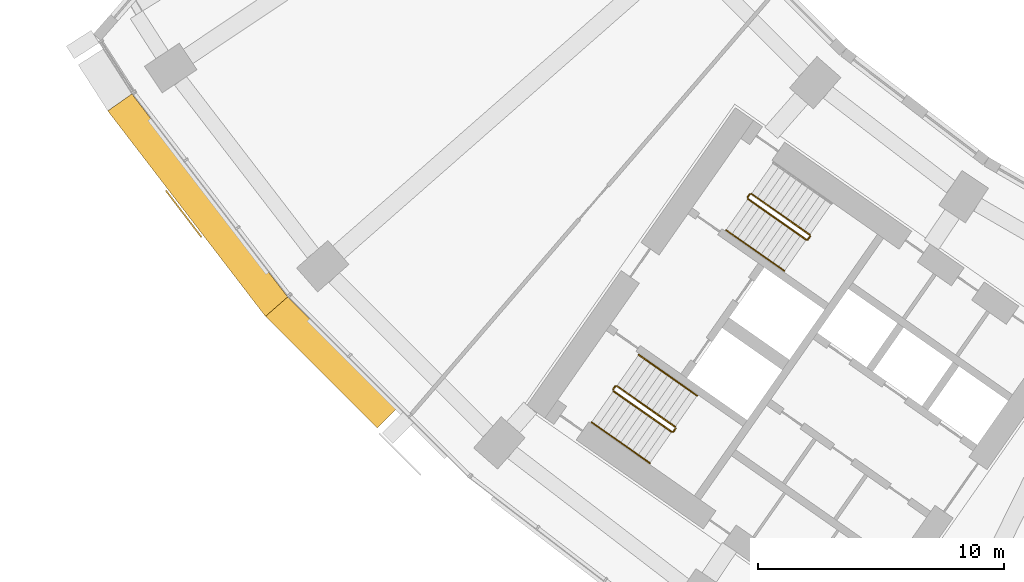
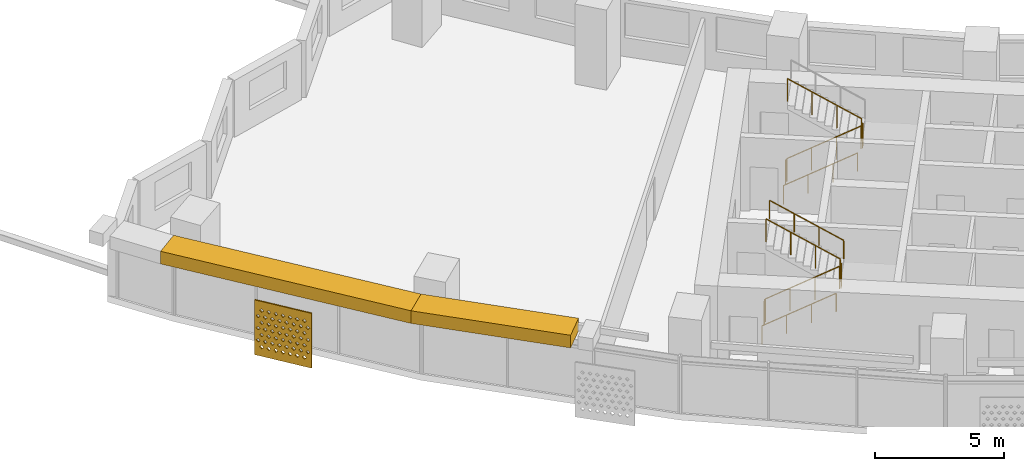
# One storey, part 27 of 30: 9 railings, 3 shading devices.
"""IFC4 building model written with IfcOpenShell, lengths in metres."""

from ifc_helpers import new_model, si_unit, direction, frame, origin, origin_2d, place, context, subcontext, project, spatial, polyline, circle, outline, extrude, material, material_profile, profile_set, type_object, element, save


model = new_model("IFC4")

# Units and contexts
model_context = context("Model", 3, precision=1e-05, world=origin(), true_north=direction((0.0, 1.0)))
body_context = subcontext(model_context, "Body", "Model", "MODEL_VIEW")
ifc_project = project(units=[si_unit("LENGTHUNIT", "METRE"), si_unit("AREAUNIT", "SQUARE_METRE"), si_unit("VOLUMEUNIT", "CUBIC_METRE"), si_unit("PLANEANGLEUNIT", "RADIAN"), si_unit("MASSUNIT", "GRAM", prefix="KILO")], contexts=[model_context])

# Site, building, storey
site_placement = place(None, origin())
site = spatial("IfcSite", under=ifc_project, at=site_placement, CompositionType="ELEMENT")
building_placement = place(site_placement, origin())
building = spatial("IfcBuilding", under=site, at=building_placement, Name="Qamariyya Broadcast Tower", CompositionType="ELEMENT")
storey_placement = place(building_placement, frame((0.0, 0.0, 67.10009765625)))
storey = spatial("IfcBuildingStorey", under=building, at=storey_placement, Name="L13", CompositionType="ELEMENT", Elevation=67.10009765625)

# Shading devices
ifc_material_1 = material(Name="Steel S355 powder coated deep red", Category="steel")
shading_device_type_1 = type_object("IfcShadingDeviceType", Name="Deep red frame, powder coated steel box section", PredefinedType="USERDEFINED", material=ifc_material_1)
shading_device_1_placement = place(storey_placement, frame((0.0, 0.0, 3.199951171875)))
element("IfcShadingDevice", 1, at=shading_device_1_placement, inside=storey, type_object=shading_device_type_1, Name="e-frm-B1-F1-bot1", ObjectType="FRAME", PredefinedType="USERDEFINED", context=body_context, shape_type="SweptSolid", body=[
    extrude(outline(polyline([(-66.2265625, -44.251220703125), (-67.20947265625, -44.94140625), (-60.7880859375, -53.309814453125), (-59.884033203125, -52.516845703125), (-66.2265625, -44.251220703125)])), origin(), (0.0, 0.0, 1.0), 0.599853515625),
])
shading_device_2_placement = place(storey_placement, frame((0.0, 0.0, 3.199951171875)))
element("IfcShadingDevice", 2, at=shading_device_2_placement, inside=storey, type_object=shading_device_type_1, Name="e-frm-B1-F1-bot2", ObjectType="FRAME", PredefinedType="USERDEFINED", context=body_context, shape_type="SweptSolid", body=[
    extrude(outline(polyline([(-59.884033203125, -52.516845703125), (-60.7880859375, -53.309814453125), (-56.245361328125, -57.8525390625), (-55.39697265625, -57.004150390625), (-59.884033203125, -52.516845703125)])), origin(), (0.0, 0.0, 1.0), 0.599853515625),
])
ifc_material_2 = material(Name="Perforated glazed terracotta", Category="masonry")
ifc_material_profile = material_profile(ifc_material_2, outline(polyline([(-1.199951171875, -1.300048828125), (1.199951171875, -1.300048828125), (1.199951171875, 1.300048828125), (-1.199951171875, 1.300048828125), (-1.199951171875, -1.300048828125)]), holes=[polyline([(-0.81494140625, -0.86669921875), (-0.89990234375, -0.78173828125), (-0.985107421875, -0.86669921875), (-0.89990234375, -0.95166015625), (-0.81494140625, -0.86669921875)]), polyline([(-0.514892578125, -0.86669921875), (-0.60009765625, -0.78173828125), (-0.68505859375, -0.86669921875), (-0.60009765625, -0.95166015625), (-0.514892578125, -0.86669921875)]), polyline([(-0.215087890625, -0.86669921875), (-0.300048828125, -0.78173828125), (-0.385009765625, -0.86669921875), (-0.300048828125, -0.95166015625), (-0.215087890625, -0.86669921875)]), polyline([(0.0849609375, -0.86669921875), (0.0, -0.78173828125), (-0.0849609375, -0.86669921875), (0.0, -0.95166015625), (0.0849609375, -0.86669921875)]), polyline([(0.385009765625, -0.86669921875), (0.300048828125, -0.78173828125), (0.215087890625, -0.86669921875), (0.300048828125, -0.95166015625), (0.385009765625, -0.86669921875)]), polyline([(0.68505859375, -0.86669921875), (0.60009765625, -0.78173828125), (0.514892578125, -0.86669921875), (0.60009765625, -0.95166015625), (0.68505859375, -0.86669921875)]), polyline([(0.985107421875, -0.86669921875), (0.89990234375, -0.78173828125), (0.81494140625, -0.86669921875), (0.89990234375, -0.95166015625), (0.985107421875, -0.86669921875)]), polyline([(-0.965087890625, -0.577880859375), (-1.050048828125, -0.49267578125), (-1.135009765625, -0.577880859375), (-1.050048828125, -0.662841796875), (-0.965087890625, -0.577880859375)]), polyline([(-0.6650390625, -0.577880859375), (-0.75, -0.49267578125), (-0.8349609375, -0.577880859375), (-0.75, -0.662841796875), (-0.6650390625, -0.577880859375)]), polyline([(-0.364990234375, -0.577880859375), (-0.449951171875, -0.49267578125), (-0.534912109375, -0.577880859375), (-0.449951171875, -0.662841796875), (-0.364990234375, -0.577880859375)]), polyline([(-0.06494140625, -0.577880859375), (-0.14990234375, -0.49267578125), (-0.235107421875, -0.577880859375), (-0.14990234375, -0.662841796875), (-0.06494140625, -0.577880859375)]), polyline([(0.235107421875, -0.577880859375), (0.14990234375, -0.49267578125), (0.06494140625, -0.577880859375), (0.14990234375, -0.662841796875), (0.235107421875, -0.577880859375)]), polyline([(0.534912109375, -0.577880859375), (0.449951171875, -0.49267578125), (0.364990234375, -0.577880859375), (0.449951171875, -0.662841796875), (0.534912109375, -0.577880859375)]), polyline([(0.8349609375, -0.577880859375), (0.75, -0.49267578125), (0.6650390625, -0.577880859375), (0.75, -0.662841796875), (0.8349609375, -0.577880859375)]), polyline([(1.135009765625, -0.577880859375), (1.050048828125, -0.49267578125), (0.965087890625, -0.577880859375), (1.050048828125, -0.662841796875), (1.135009765625, -0.577880859375)]), polyline([(-0.81494140625, -0.288818359375), (-0.89990234375, -0.203857421875), (-0.985107421875, -0.288818359375), (-0.89990234375, -0.373779296875), (-0.81494140625, -0.288818359375)]), polyline([(-0.514892578125, -0.288818359375), (-0.60009765625, -0.203857421875), (-0.68505859375, -0.288818359375), (-0.60009765625, -0.373779296875), (-0.514892578125, -0.288818359375)]), polyline([(-0.215087890625, -0.288818359375), (-0.300048828125, -0.203857421875), (-0.385009765625, -0.288818359375), (-0.300048828125, -0.373779296875), (-0.215087890625, -0.288818359375)]), polyline([(0.0849609375, -0.288818359375), (0.0, -0.203857421875), (-0.0849609375, -0.288818359375), (0.0, -0.373779296875), (0.0849609375, -0.288818359375)]), polyline([(0.385009765625, -0.288818359375), (0.300048828125, -0.203857421875), (0.215087890625, -0.288818359375), (0.300048828125, -0.373779296875), (0.385009765625, -0.288818359375)]), polyline([(0.68505859375, -0.288818359375), (0.60009765625, -0.203857421875), (0.514892578125, -0.288818359375), (0.60009765625, -0.373779296875), (0.68505859375, -0.288818359375)]), polyline([(0.985107421875, -0.288818359375), (0.89990234375, -0.203857421875), (0.81494140625, -0.288818359375), (0.89990234375, -0.373779296875), (0.985107421875, -0.288818359375)]), polyline([(-0.965087890625, 0.0), (-1.050048828125, 0.0849609375), (-1.135009765625, 0.0), (-1.050048828125, -0.0849609375), (-0.965087890625, 0.0)]), polyline([(-0.6650390625, 0.0), (-0.75, 0.0849609375), (-0.8349609375, 0.0), (-0.75, -0.0849609375), (-0.6650390625, 0.0)]), polyline([(-0.364990234375, 0.0), (-0.449951171875, 0.0849609375), (-0.534912109375, 0.0), (-0.449951171875, -0.0849609375), (-0.364990234375, 0.0)]), polyline([(-0.06494140625, 0.0), (-0.14990234375, 0.0849609375), (-0.235107421875, 0.0), (-0.14990234375, -0.0849609375), (-0.06494140625, 0.0)]), polyline([(0.235107421875, 0.0), (0.14990234375, 0.0849609375), (0.06494140625, 0.0), (0.14990234375, -0.0849609375), (0.235107421875, 0.0)]), polyline([(0.534912109375, 0.0), (0.449951171875, 0.0849609375), (0.364990234375, 0.0), (0.449951171875, -0.0849609375), (0.534912109375, 0.0)]), polyline([(0.8349609375, 0.0), (0.75, 0.0849609375), (0.6650390625, 0.0), (0.75, -0.0849609375), (0.8349609375, 0.0)]), polyline([(1.135009765625, 0.0), (1.050048828125, 0.0849609375), (0.965087890625, 0.0), (1.050048828125, -0.0849609375), (1.135009765625, 0.0)]), polyline([(-0.81494140625, 0.288818359375), (-0.89990234375, 0.373779296875), (-0.985107421875, 0.288818359375), (-0.89990234375, 0.203857421875), (-0.81494140625, 0.288818359375)]), polyline([(-0.514892578125, 0.288818359375), (-0.60009765625, 0.373779296875), (-0.68505859375, 0.288818359375), (-0.60009765625, 0.203857421875), (-0.514892578125, 0.288818359375)]), polyline([(-0.215087890625, 0.288818359375), (-0.300048828125, 0.373779296875), (-0.385009765625, 0.288818359375), (-0.300048828125, 0.203857421875), (-0.215087890625, 0.288818359375)]), polyline([(0.0849609375, 0.288818359375), (0.0, 0.373779296875), (-0.0849609375, 0.288818359375), (0.0, 0.203857421875), (0.0849609375, 0.288818359375)]), polyline([(0.385009765625, 0.288818359375), (0.300048828125, 0.373779296875), (0.215087890625, 0.288818359375), (0.300048828125, 0.203857421875), (0.385009765625, 0.288818359375)]), polyline([(0.68505859375, 0.288818359375), (0.60009765625, 0.373779296875), (0.514892578125, 0.288818359375), (0.60009765625, 0.203857421875), (0.68505859375, 0.288818359375)]), polyline([(0.985107421875, 0.288818359375), (0.89990234375, 0.373779296875), (0.81494140625, 0.288818359375), (0.89990234375, 0.203857421875), (0.985107421875, 0.288818359375)]), polyline([(-0.965087890625, 0.577880859375), (-1.050048828125, 0.662841796875), (-1.135009765625, 0.577880859375), (-1.050048828125, 0.49267578125), (-0.965087890625, 0.577880859375)]), polyline([(-0.6650390625, 0.577880859375), (-0.75, 0.662841796875), (-0.8349609375, 0.577880859375), (-0.75, 0.49267578125), (-0.6650390625, 0.577880859375)]), polyline([(-0.364990234375, 0.577880859375), (-0.449951171875, 0.662841796875), (-0.534912109375, 0.577880859375), (-0.449951171875, 0.49267578125), (-0.364990234375, 0.577880859375)]), polyline([(-0.06494140625, 0.577880859375), (-0.14990234375, 0.662841796875), (-0.235107421875, 0.577880859375), (-0.14990234375, 0.49267578125), (-0.06494140625, 0.577880859375)]), polyline([(0.235107421875, 0.577880859375), (0.14990234375, 0.662841796875), (0.06494140625, 0.577880859375), (0.14990234375, 0.49267578125), (0.235107421875, 0.577880859375)]), polyline([(0.534912109375, 0.577880859375), (0.449951171875, 0.662841796875), (0.364990234375, 0.577880859375), (0.449951171875, 0.49267578125), (0.534912109375, 0.577880859375)]), polyline([(0.8349609375, 0.577880859375), (0.75, 0.662841796875), (0.6650390625, 0.577880859375), (0.75, 0.49267578125), (0.8349609375, 0.577880859375)]), polyline([(1.135009765625, 0.577880859375), (1.050048828125, 0.662841796875), (0.965087890625, 0.577880859375), (1.050048828125, 0.49267578125), (1.135009765625, 0.577880859375)]), polyline([(-0.81494140625, 0.86669921875), (-0.89990234375, 0.95166015625), (-0.985107421875, 0.86669921875), (-0.89990234375, 0.78173828125), (-0.81494140625, 0.86669921875)]), polyline([(-0.514892578125, 0.86669921875), (-0.60009765625, 0.95166015625), (-0.68505859375, 0.86669921875), (-0.60009765625, 0.78173828125), (-0.514892578125, 0.86669921875)]), polyline([(-0.215087890625, 0.86669921875), (-0.300048828125, 0.95166015625), (-0.385009765625, 0.86669921875), (-0.300048828125, 0.78173828125), (-0.215087890625, 0.86669921875)]), polyline([(0.0849609375, 0.86669921875), (0.0, 0.95166015625), (-0.0849609375, 0.86669921875), (0.0, 0.78173828125), (0.0849609375, 0.86669921875)]), polyline([(0.385009765625, 0.86669921875), (0.300048828125, 0.95166015625), (0.215087890625, 0.86669921875), (0.300048828125, 0.78173828125), (0.385009765625, 0.86669921875)]), polyline([(0.68505859375, 0.86669921875), (0.60009765625, 0.95166015625), (0.514892578125, 0.86669921875), (0.60009765625, 0.78173828125), (0.68505859375, 0.86669921875)]), polyline([(0.985107421875, 0.86669921875), (0.89990234375, 0.95166015625), (0.81494140625, 0.86669921875), (0.89990234375, 0.78173828125), (0.985107421875, 0.86669921875)])]))
ifc_profile_set = profile_set([ifc_material_profile], Name="Perforated glazed terracotta")
shading_device_type_2 = type_object("IfcShadingDeviceType", Name="Perforated terracotta screen 2400 x 2600", PredefinedType="USERDEFINED", material=ifc_profile_set)
shading_device_3_placement = place(storey_placement, frame((-64.0947265625, -49.11572265625, 1.349853515625), z_axis=(-0.794589096806, -0.607147566278, 0.0), x_axis=(0.607147566278, -0.794589096806, 0.0)))
element("IfcShadingDevice", 3, at=shading_device_3_placement, inside=storey, type_object=shading_device_type_2, Name="e-scr-L13-01-1", ObjectType="SCREEN", PredefinedType="USERDEFINED", context=body_context, shape_type="SweptSolid", body=[
    extrude(outline(polyline([(-1.199951171875, -1.300048828125), (1.199951171875, -1.300048828125), (1.199951171875, 1.300048828125), (-1.199951171875, 1.300048828125), (-1.199951171875, -1.300048828125)]), holes=[polyline([(-0.81494140625, -0.86669921875), (-0.89990234375, -0.78173828125), (-0.985107421875, -0.86669921875), (-0.89990234375, -0.95166015625), (-0.81494140625, -0.86669921875)]), polyline([(-0.514892578125, -0.86669921875), (-0.60009765625, -0.78173828125), (-0.68505859375, -0.86669921875), (-0.60009765625, -0.95166015625), (-0.514892578125, -0.86669921875)]), polyline([(-0.215087890625, -0.86669921875), (-0.300048828125, -0.78173828125), (-0.385009765625, -0.86669921875), (-0.300048828125, -0.95166015625), (-0.215087890625, -0.86669921875)]), polyline([(0.0849609375, -0.86669921875), (0.0, -0.78173828125), (-0.0849609375, -0.86669921875), (0.0, -0.95166015625), (0.0849609375, -0.86669921875)]), polyline([(0.385009765625, -0.86669921875), (0.300048828125, -0.78173828125), (0.215087890625, -0.86669921875), (0.300048828125, -0.95166015625), (0.385009765625, -0.86669921875)]), polyline([(0.68505859375, -0.86669921875), (0.60009765625, -0.78173828125), (0.514892578125, -0.86669921875), (0.60009765625, -0.95166015625), (0.68505859375, -0.86669921875)]), polyline([(0.985107421875, -0.86669921875), (0.89990234375, -0.78173828125), (0.81494140625, -0.86669921875), (0.89990234375, -0.95166015625), (0.985107421875, -0.86669921875)]), polyline([(-0.965087890625, -0.577880859375), (-1.050048828125, -0.49267578125), (-1.135009765625, -0.577880859375), (-1.050048828125, -0.662841796875), (-0.965087890625, -0.577880859375)]), polyline([(-0.6650390625, -0.577880859375), (-0.75, -0.49267578125), (-0.8349609375, -0.577880859375), (-0.75, -0.662841796875), (-0.6650390625, -0.577880859375)]), polyline([(-0.364990234375, -0.577880859375), (-0.449951171875, -0.49267578125), (-0.534912109375, -0.577880859375), (-0.449951171875, -0.662841796875), (-0.364990234375, -0.577880859375)]), polyline([(-0.06494140625, -0.577880859375), (-0.14990234375, -0.49267578125), (-0.235107421875, -0.577880859375), (-0.14990234375, -0.662841796875), (-0.06494140625, -0.577880859375)]), polyline([(0.235107421875, -0.577880859375), (0.14990234375, -0.49267578125), (0.06494140625, -0.577880859375), (0.14990234375, -0.662841796875), (0.235107421875, -0.577880859375)]), polyline([(0.534912109375, -0.577880859375), (0.449951171875, -0.49267578125), (0.364990234375, -0.577880859375), (0.449951171875, -0.662841796875), (0.534912109375, -0.577880859375)]), polyline([(0.8349609375, -0.577880859375), (0.75, -0.49267578125), (0.6650390625, -0.577880859375), (0.75, -0.662841796875), (0.8349609375, -0.577880859375)]), polyline([(1.135009765625, -0.577880859375), (1.050048828125, -0.49267578125), (0.965087890625, -0.577880859375), (1.050048828125, -0.662841796875), (1.135009765625, -0.577880859375)]), polyline([(-0.81494140625, -0.288818359375), (-0.89990234375, -0.203857421875), (-0.985107421875, -0.288818359375), (-0.89990234375, -0.373779296875), (-0.81494140625, -0.288818359375)]), polyline([(-0.514892578125, -0.288818359375), (-0.60009765625, -0.203857421875), (-0.68505859375, -0.288818359375), (-0.60009765625, -0.373779296875), (-0.514892578125, -0.288818359375)]), polyline([(-0.215087890625, -0.288818359375), (-0.300048828125, -0.203857421875), (-0.385009765625, -0.288818359375), (-0.300048828125, -0.373779296875), (-0.215087890625, -0.288818359375)]), polyline([(0.0849609375, -0.288818359375), (0.0, -0.203857421875), (-0.0849609375, -0.288818359375), (0.0, -0.373779296875), (0.0849609375, -0.288818359375)]), polyline([(0.385009765625, -0.288818359375), (0.300048828125, -0.203857421875), (0.215087890625, -0.288818359375), (0.300048828125, -0.373779296875), (0.385009765625, -0.288818359375)]), polyline([(0.68505859375, -0.288818359375), (0.60009765625, -0.203857421875), (0.514892578125, -0.288818359375), (0.60009765625, -0.373779296875), (0.68505859375, -0.288818359375)]), polyline([(0.985107421875, -0.288818359375), (0.89990234375, -0.203857421875), (0.81494140625, -0.288818359375), (0.89990234375, -0.373779296875), (0.985107421875, -0.288818359375)]), polyline([(-0.965087890625, 0.0), (-1.050048828125, 0.0849609375), (-1.135009765625, 0.0), (-1.050048828125, -0.0849609375), (-0.965087890625, 0.0)]), polyline([(-0.6650390625, 0.0), (-0.75, 0.0849609375), (-0.8349609375, 0.0), (-0.75, -0.0849609375), (-0.6650390625, 0.0)]), polyline([(-0.364990234375, 0.0), (-0.449951171875, 0.0849609375), (-0.534912109375, 0.0), (-0.449951171875, -0.0849609375), (-0.364990234375, 0.0)]), polyline([(-0.06494140625, 0.0), (-0.14990234375, 0.0849609375), (-0.235107421875, 0.0), (-0.14990234375, -0.0849609375), (-0.06494140625, 0.0)]), polyline([(0.235107421875, 0.0), (0.14990234375, 0.0849609375), (0.06494140625, 0.0), (0.14990234375, -0.0849609375), (0.235107421875, 0.0)]), polyline([(0.534912109375, 0.0), (0.449951171875, 0.0849609375), (0.364990234375, 0.0), (0.449951171875, -0.0849609375), (0.534912109375, 0.0)]), polyline([(0.8349609375, 0.0), (0.75, 0.0849609375), (0.6650390625, 0.0), (0.75, -0.0849609375), (0.8349609375, 0.0)]), polyline([(1.135009765625, 0.0), (1.050048828125, 0.0849609375), (0.965087890625, 0.0), (1.050048828125, -0.0849609375), (1.135009765625, 0.0)]), polyline([(-0.81494140625, 0.288818359375), (-0.89990234375, 0.373779296875), (-0.985107421875, 0.288818359375), (-0.89990234375, 0.203857421875), (-0.81494140625, 0.288818359375)]), polyline([(-0.514892578125, 0.288818359375), (-0.60009765625, 0.373779296875), (-0.68505859375, 0.288818359375), (-0.60009765625, 0.203857421875), (-0.514892578125, 0.288818359375)]), polyline([(-0.215087890625, 0.288818359375), (-0.300048828125, 0.373779296875), (-0.385009765625, 0.288818359375), (-0.300048828125, 0.203857421875), (-0.215087890625, 0.288818359375)]), polyline([(0.0849609375, 0.288818359375), (0.0, 0.373779296875), (-0.0849609375, 0.288818359375), (0.0, 0.203857421875), (0.0849609375, 0.288818359375)]), polyline([(0.385009765625, 0.288818359375), (0.300048828125, 0.373779296875), (0.215087890625, 0.288818359375), (0.300048828125, 0.203857421875), (0.385009765625, 0.288818359375)]), polyline([(0.68505859375, 0.288818359375), (0.60009765625, 0.373779296875), (0.514892578125, 0.288818359375), (0.60009765625, 0.203857421875), (0.68505859375, 0.288818359375)]), polyline([(0.985107421875, 0.288818359375), (0.89990234375, 0.373779296875), (0.81494140625, 0.288818359375), (0.89990234375, 0.203857421875), (0.985107421875, 0.288818359375)]), polyline([(-0.965087890625, 0.577880859375), (-1.050048828125, 0.662841796875), (-1.135009765625, 0.577880859375), (-1.050048828125, 0.49267578125), (-0.965087890625, 0.577880859375)]), polyline([(-0.6650390625, 0.577880859375), (-0.75, 0.662841796875), (-0.8349609375, 0.577880859375), (-0.75, 0.49267578125), (-0.6650390625, 0.577880859375)]), polyline([(-0.364990234375, 0.577880859375), (-0.449951171875, 0.662841796875), (-0.534912109375, 0.577880859375), (-0.449951171875, 0.49267578125), (-0.364990234375, 0.577880859375)]), polyline([(-0.06494140625, 0.577880859375), (-0.14990234375, 0.662841796875), (-0.235107421875, 0.577880859375), (-0.14990234375, 0.49267578125), (-0.06494140625, 0.577880859375)]), polyline([(0.235107421875, 0.577880859375), (0.14990234375, 0.662841796875), (0.06494140625, 0.577880859375), (0.14990234375, 0.49267578125), (0.235107421875, 0.577880859375)]), polyline([(0.534912109375, 0.577880859375), (0.449951171875, 0.662841796875), (0.364990234375, 0.577880859375), (0.449951171875, 0.49267578125), (0.534912109375, 0.577880859375)]), polyline([(0.8349609375, 0.577880859375), (0.75, 0.662841796875), (0.6650390625, 0.577880859375), (0.75, 0.49267578125), (0.8349609375, 0.577880859375)]), polyline([(1.135009765625, 0.577880859375), (1.050048828125, 0.662841796875), (0.965087890625, 0.577880859375), (1.050048828125, 0.49267578125), (1.135009765625, 0.577880859375)]), polyline([(-0.81494140625, 0.86669921875), (-0.89990234375, 0.95166015625), (-0.985107421875, 0.86669921875), (-0.89990234375, 0.78173828125), (-0.81494140625, 0.86669921875)]), polyline([(-0.514892578125, 0.86669921875), (-0.60009765625, 0.95166015625), (-0.68505859375, 0.86669921875), (-0.60009765625, 0.78173828125), (-0.514892578125, 0.86669921875)]), polyline([(-0.215087890625, 0.86669921875), (-0.300048828125, 0.95166015625), (-0.385009765625, 0.86669921875), (-0.300048828125, 0.78173828125), (-0.215087890625, 0.86669921875)]), polyline([(0.0849609375, 0.86669921875), (0.0, 0.95166015625), (-0.0849609375, 0.86669921875), (0.0, 0.78173828125), (0.0849609375, 0.86669921875)]), polyline([(0.385009765625, 0.86669921875), (0.300048828125, 0.95166015625), (0.215087890625, 0.86669921875), (0.300048828125, 0.78173828125), (0.385009765625, 0.86669921875)]), polyline([(0.68505859375, 0.86669921875), (0.60009765625, 0.95166015625), (0.514892578125, 0.86669921875), (0.60009765625, 0.78173828125), (0.68505859375, 0.86669921875)]), polyline([(0.985107421875, 0.86669921875), (0.89990234375, 0.95166015625), (0.81494140625, 0.86669921875), (0.89990234375, 0.78173828125), (0.985107421875, 0.86669921875)])]), origin(), (0.0, 0.0, 1.0), 0.059814453125),
])

# Railings
ifc_material_3 = material(Name="Painted steel", Category="steel")
railing_type_1 = type_object("IfcRailingType", Name="Stair guard", PredefinedType="GUARDRAIL", material=ifc_material_3)
railing_1_placement = place(storey_placement, frame((-41.146728515625, -48.52490234375, 0.172607421875)))
element("IfcRailing", 4, at=railing_1_placement, inside=storey, type_object=railing_type_1, Name="L13 ST-W2 stair guard 1", PredefinedType="GUARDRAIL", context=body_context, shape_type="SweptSolid", body=[
    extrude(circle(Radius=0.02392578125, at=origin_2d()), frame((0.0, 0.0, 1.076171875), z_axis=(0.703770094002, -0.492783725636, 0.511734163933), x_axis=(0.573575343427, 0.819152809562, 0.0)), (0.0, 0.0, 1.0), 3.37548828125),
    extrude(circle(Radius=0.02392578125, at=origin_2d()), frame((2.37548828125, -1.663330078125, 2.80322265625), z_axis=(0.985059694769, 0.172213233351, 0.0), x_axis=(-0.172213233351, 0.985059694769, 0.0)), (0.0, 0.0, 1.0), 0.07080078125),
    extrude(circle(Radius=0.02392578125, at=origin_2d()), frame((2.4453125, -1.651123046875, 2.80322265625), z_axis=(0.572588637393, 0.819842821722, 0.0), x_axis=(-0.819842821722, 0.572588637393, 0.0)), (0.0, 0.0, 1.0), 0.150146484375),
    extrude(circle(Radius=0.02099609375, at=origin_2d()), origin(), (0.0, 0.0, 1.0), 1.052001953125),
    extrude(circle(Radius=0.02099609375, at=origin_2d()), frame((0.791748046875, -0.554443359375, 0.57568359375)), (0.0, 0.0, 1.0), 1.052001953125),
    extrude(circle(Radius=0.02099609375, at=origin_2d()), frame((1.583740234375, -1.10888671875, 1.151611328125)), (0.0, 0.0, 1.0), 1.052001953125),
    extrude(circle(Radius=0.02099609375, at=origin_2d()), frame((2.37548828125, -1.663330078125, 1.727294921875)), (0.0, 0.0, 1.0), 1.052001953125),
    extrude(circle(Radius=0.02099609375, at=origin_2d()), frame((2.4453125, -1.651123046875, 1.727294921875)), (0.0, 0.0, 1.0), 1.052001953125),
    extrude(circle(Radius=0.02099609375, at=origin_2d()), frame((2.53125, -1.528076171875, 1.727294921875)), (0.0, 0.0, 1.0), 1.052001953125),
])
railing_2_placement = place(storey_placement, frame((-38.627685546875, -49.9833984375, 2.072509765625)))
element("IfcRailing", 5, at=railing_2_placement, inside=storey, type_object=railing_type_1, Name="L13 ST-W2 stair guard 2", PredefinedType="GUARDRAIL", context=body_context, shape_type="SweptSolid", body=[
    extrude(circle(Radius=0.02392578125, at=origin_2d()), frame((0.0, 0.0, 1.076171875), z_axis=(-0.703770094002, 0.492783725636, 0.511734163933), x_axis=(-0.573575343427, -0.819152809562, 0.0)), (0.0, 0.0, 1.0), 3.37548828125),
    extrude(circle(Radius=0.02099609375, at=origin_2d()), origin(), (0.0, 0.0, 1.0), 1.052001953125),
    extrude(circle(Radius=0.02099609375, at=origin_2d()), frame((-0.791748046875, 0.554443359375, 0.57568359375)), (0.0, 0.0, 1.0), 1.052001953125),
    extrude(circle(Radius=0.02099609375, at=origin_2d()), frame((-1.583740234375, 1.10888671875, 1.151611328125)), (0.0, 0.0, 1.0), 1.052001953125),
    extrude(circle(Radius=0.02099609375, at=origin_2d()), frame((-2.37548828125, 1.663330078125, 1.727294921875)), (0.0, 0.0, 1.0), 1.052001953125),
])
railing_3_placement = place(storey_placement, frame((-41.158935546875, -48.455322265625, 0.0)))
element("IfcRailing", 6, at=railing_3_placement, inside=storey, type_object=railing_type_1, Name="L13 ST-W2 stair guard 3", PredefinedType="GUARDRAIL", context=body_context, shape_type="SweptSolid", body=[
    extrude(circle(Radius=0.02392578125, at=origin_2d()), frame((0.0, 0.0, 1.076171875), z_axis=(0.572588637393, 0.819842821722, 0.0), x_axis=(-0.819842821722, 0.572588637393, 0.0)), (0.0, 0.0, 1.0), 0.150146484375),
    extrude(circle(Radius=0.02099609375, at=origin_2d()), origin(), (0.0, 0.0, 1.0), 1.052001953125),
    extrude(circle(Radius=0.02099609375, at=origin_2d()), frame((0.0859375, 0.123046875, 0.0)), (0.0, 0.0, 1.0), 1.052001953125),
])
railing_4_placement = place(storey_placement, frame((-46.624267578125, -56.34765625, 0.172607421875)))
element("IfcRailing", 7, at=railing_4_placement, inside=storey, type_object=railing_type_1, Name="L13 ST-W1 stair guard 1", PredefinedType="GUARDRAIL", context=body_context, shape_type="SweptSolid", body=[
    extrude(circle(Radius=0.02392578125, at=origin_2d()), frame((0.0, 0.0, 1.076171875), z_axis=(0.703745009021, -0.492838488332, 0.511715923826), x_axis=(0.573631830683, 0.819113253969, 0.0)), (0.0, 0.0, 1.0), 3.37548828125),
    extrude(circle(Radius=0.02392578125, at=origin_2d()), frame((2.37548828125, -1.66357421875, 2.80322265625), z_axis=(0.984363469884, 0.176149252506, 0.0), x_axis=(-0.176149252506, 0.984363469884, 0.0)), (0.0, 0.0, 1.0), 0.07080078125),
    extrude(circle(Radius=0.02392578125, at=origin_2d()), frame((2.445068359375, -1.651123046875, 2.80322265625), z_axis=(0.574444878118, 0.818543268254, 0.0), x_axis=(-0.818543268254, 0.574444878118, 0.0)), (0.0, 0.0, 1.0), 0.150146484375),
    extrude(circle(Radius=0.02099609375, at=origin_2d()), origin(), (0.0, 0.0, 1.0), 1.052001953125),
    extrude(circle(Radius=0.02099609375, at=origin_2d()), frame((0.791748046875, -0.554443359375, 0.57568359375)), (0.0, 0.0, 1.0), 1.052001953125),
    extrude(circle(Radius=0.02099609375, at=origin_2d()), frame((1.583740234375, -1.109130859375, 1.151611328125)), (0.0, 0.0, 1.0), 1.052001953125),
    extrude(circle(Radius=0.02099609375, at=origin_2d()), frame((2.37548828125, -1.66357421875, 1.727294921875)), (0.0, 0.0, 1.0), 1.052001953125),
    extrude(circle(Radius=0.02099609375, at=origin_2d()), frame((2.445068359375, -1.651123046875, 1.727294921875)), (0.0, 0.0, 1.0), 1.052001953125),
    extrude(circle(Radius=0.02099609375, at=origin_2d()), frame((2.53125, -1.5283203125, 1.727294921875)), (0.0, 0.0, 1.0), 1.052001953125),
])
railing_5_placement = place(storey_placement, frame((-44.10546875, -57.806396484375, 2.072509765625)))
element("IfcRailing", 8, at=railing_5_placement, inside=storey, type_object=railing_type_1, Name="L13 ST-W1 stair guard 2", PredefinedType="GUARDRAIL", context=body_context, shape_type="SweptSolid", body=[
    extrude(circle(Radius=0.02392578125, at=origin_2d()), frame((0.0, 0.0, 1.076171875), z_axis=(-0.703770094002, 0.492783725636, 0.511734163933), x_axis=(-0.573575343427, -0.819152809562, 0.0)), (0.0, 0.0, 1.0), 3.37548828125),
    extrude(circle(Radius=0.02099609375, at=origin_2d()), origin(), (0.0, 0.0, 1.0), 1.052001953125),
    extrude(circle(Radius=0.02099609375, at=origin_2d()), frame((-0.791748046875, 0.554443359375, 0.57568359375)), (0.0, 0.0, 1.0), 1.052001953125),
    extrude(circle(Radius=0.02099609375, at=origin_2d()), frame((-1.583740234375, 1.10888671875, 1.151611328125)), (0.0, 0.0, 1.0), 1.052001953125),
    extrude(circle(Radius=0.02099609375, at=origin_2d()), frame((-2.37548828125, 1.663330078125, 1.727294921875)), (0.0, 0.0, 1.0), 1.052001953125),
])
railing_6_placement = place(storey_placement, frame((-46.63671875, -56.278076171875, 0.0)))
element("IfcRailing", 9, at=railing_6_placement, inside=storey, type_object=railing_type_1, Name="L13 ST-W1 stair guard 3", PredefinedType="GUARDRAIL", context=body_context, shape_type="SweptSolid", body=[
    extrude(circle(Radius=0.02392578125, at=origin_2d()), frame((0.0, 0.0, 1.076171875), z_axis=(0.574444878118, 0.818543268254, 0.0), x_axis=(-0.818543268254, 0.574444878118, 0.0)), (0.0, 0.0, 1.0), 0.150146484375),
    extrude(circle(Radius=0.02099609375, at=origin_2d()), origin(), (0.0, 0.0, 1.0), 1.052001953125),
    extrude(circle(Radius=0.02099609375, at=origin_2d()), frame((0.086181640625, 0.122802734375, 0.0)), (0.0, 0.0, 1.0), 1.052001953125),
])
ifc_material_4 = material(Name="Stainless steel", Category="steel")
railing_type_2 = type_object("IfcRailingType", Name="Stair handrail", PredefinedType="HANDRAIL", material=ifc_material_4)
railing_7_placement = place(storey_placement, frame((-42.03564453125, -49.79443359375, 0.172607421875)))
element("IfcRailing", 10, at=railing_7_placement, inside=storey, type_object=railing_type_2, Name="L13 ST-W2 stair handrail 1", PredefinedType="HANDRAIL", context=body_context, shape_type="SweptSolid", body=[
    extrude(circle(Radius=0.02392578125, at=origin_2d()), frame((0.0, 0.0, 0.8759765625), z_axis=(0.703745009021, -0.492838488332, 0.511715923826), x_axis=(0.573631830683, 0.819113253969, 0.0)), (0.0, 0.0, 1.0), 3.37548828125),
    extrude(circle(Radius=0.02099609375, at=origin_2d()), origin(), (0.0, 0.0, 1.0), 0.851806640625),
    extrude(circle(Radius=0.02099609375, at=origin_2d()), frame((0.791748046875, -0.554443359375, 0.57568359375)), (0.0, 0.0, 1.0), 0.851806640625),
    extrude(circle(Radius=0.02099609375, at=origin_2d()), frame((1.583740234375, -1.109130859375, 1.151611328125)), (0.0, 0.0, 1.0), 0.851806640625),
    extrude(circle(Radius=0.02099609375, at=origin_2d()), frame((2.37548828125, -1.66357421875, 1.727294921875)), (0.0, 0.0, 1.0), 0.851806640625),
])
railing_8_placement = place(storey_placement, frame((-47.513427734375, -57.617431640625, 0.172607421875)))
element("IfcRailing", 11, at=railing_8_placement, inside=storey, type_object=railing_type_2, Name="L13 ST-W1 stair handrail 1", PredefinedType="HANDRAIL", context=body_context, shape_type="SweptSolid", body=[
    extrude(circle(Radius=0.02392578125, at=origin_2d()), frame((0.0, 0.0, 0.8759765625), z_axis=(0.703770094002, -0.492783725636, 0.511734163933), x_axis=(0.573575343427, 0.819152809562, 0.0)), (0.0, 0.0, 1.0), 3.37548828125),
    extrude(circle(Radius=0.02099609375, at=origin_2d()), origin(), (0.0, 0.0, 1.0), 0.851806640625),
    extrude(circle(Radius=0.02099609375, at=origin_2d()), frame((0.791748046875, -0.554443359375, 0.57568359375)), (0.0, 0.0, 1.0), 0.851806640625),
    extrude(circle(Radius=0.02099609375, at=origin_2d()), frame((1.583740234375, -1.10888671875, 1.151611328125)), (0.0, 0.0, 1.0), 0.851806640625),
    extrude(circle(Radius=0.02099609375, at=origin_2d()), frame((2.37548828125, -1.663330078125, 1.727294921875)), (0.0, 0.0, 1.0), 0.851806640625),
])
railing_9_placement = place(storey_placement, frame((-43.21630859375, -56.53662109375, 2.072509765625)))
element("IfcRailing", 12, at=railing_9_placement, inside=storey, type_object=railing_type_2, Name="L13 ST-W1 stair handrail 2", PredefinedType="HANDRAIL", context=body_context, shape_type="SweptSolid", body=[
    extrude(circle(Radius=0.02392578125, at=origin_2d()), frame((0.0, 0.0, 0.8759765625), z_axis=(-0.703770094002, 0.492783725636, 0.511734163933), x_axis=(-0.573575343427, -0.819152809562, 0.0)), (0.0, 0.0, 1.0), 3.37548828125),
    extrude(circle(Radius=0.02099609375, at=origin_2d()), origin(), (0.0, 0.0, 1.0), 0.851806640625),
    extrude(circle(Radius=0.02099609375, at=origin_2d()), frame((-0.791748046875, 0.554443359375, 0.57568359375)), (0.0, 0.0, 1.0), 0.851806640625),
    extrude(circle(Radius=0.02099609375, at=origin_2d()), frame((-1.583740234375, 1.10888671875, 1.151611328125)), (0.0, 0.0, 1.0), 0.851806640625),
    extrude(circle(Radius=0.02099609375, at=origin_2d()), frame((-2.37548828125, 1.663330078125, 1.727294921875)), (0.0, 0.0, 1.0), 0.851806640625),
])

save(model, "model.ifc")
